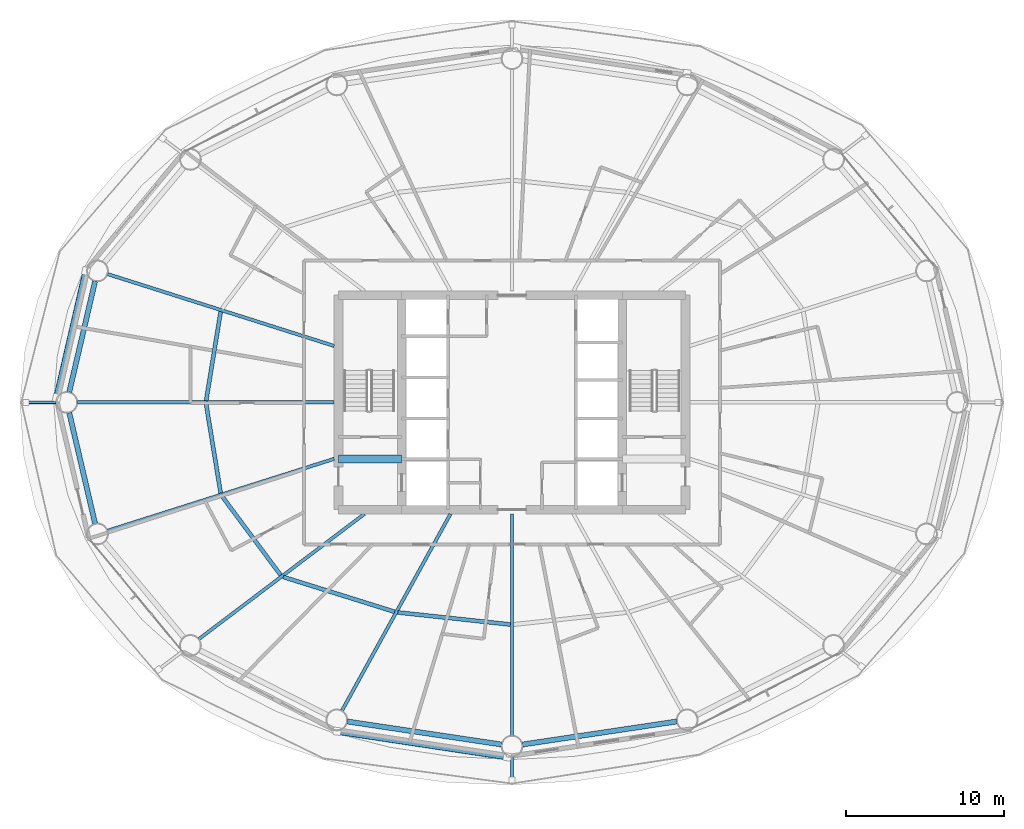
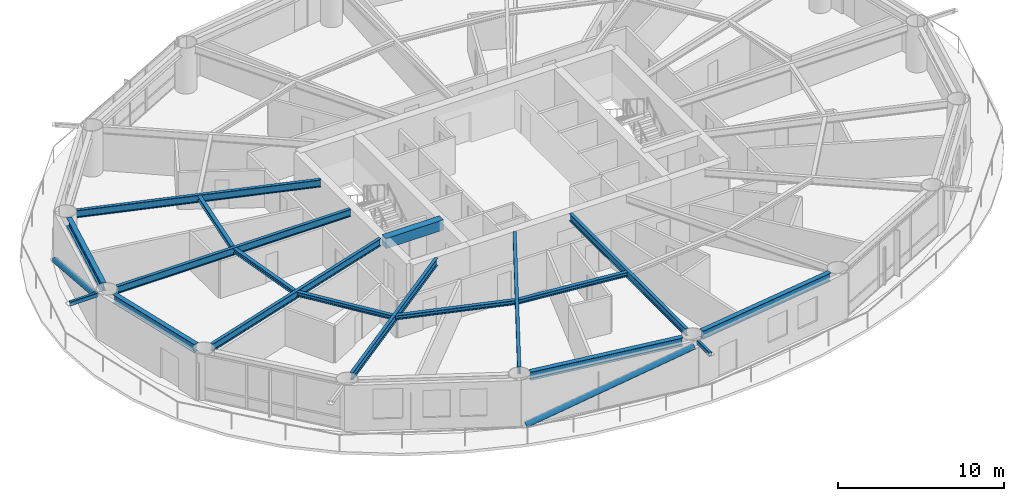
# One storey, part 3 of 24: 16 beams, 4 members.
"""IFC4 building model written with IfcOpenShell, lengths in metres."""

from ifc_helpers import new_model, si_unit, direction, frame, origin, origin_2d, place, context, subcontext, project, spatial, rectangle, hollow_rectangle, hollow_circle, i_section, extrude, material, material_profile, profile_set, type_object, element, save


model = new_model("IFC4")

# Units and contexts
model_context = context("Model", 3, precision=1e-05, world=origin(), true_north=direction((0.0, 1.0)))
body_context = subcontext(model_context, "Body", "Model", "MODEL_VIEW")
ifc_project = project(units=[si_unit("LENGTHUNIT", "METRE"), si_unit("AREAUNIT", "SQUARE_METRE"), si_unit("VOLUMEUNIT", "CUBIC_METRE"), si_unit("PLANEANGLEUNIT", "RADIAN"), si_unit("MASSUNIT", "GRAM", prefix="KILO")], contexts=[model_context])

# Site, building, storey
site_placement = place(None, origin())
site = spatial("IfcSite", under=ifc_project, at=site_placement, CompositionType="ELEMENT")
building_placement = place(site_placement, origin())
building = spatial("IfcBuilding", under=site, at=building_placement, Name="Sarneth Arch Tower", CompositionType="ELEMENT")
storey_placement = place(building_placement, frame((0.0, 0.0, 91.199951171875)))
storey = spatial("IfcBuildingStorey", under=building, at=storey_placement, Name="L22", CompositionType="ELEMENT", Elevation=91.199951171875)

# Beams
ifc_material_1 = material(Name="Steel S355", Category="steel")
ifc_material_profile_1 = material_profile(ifc_material_1, i_section(OverallWidth=0.25390625, OverallDepth=0.305908203125, WebThickness=0.0087890625, FlangeThickness=0.0146484375, FilletRadius=0.014892578125, at=origin_2d()), Name="W310x79")
ifc_profile_set_1 = profile_set([ifc_material_profile_1], Name="Steel S355")
beam_type_1 = type_object("IfcBeamType", Name="BM-JOIST-310A", PredefinedType="JOIST", material=ifc_profile_set_1)
for number, where, z_axis, x_axis, name in (
    (1, (29.521484375, 47.75390625, 3.22705078125), (-0.16120310833, -0.986921252109, 0.0), (0.986921252109, -0.16120310833, 0.0), "L22 Secondary floor joist 08"),
    (2, (28.5986328125, 41.89599609375, 3.22705078125), (0.16120310833, -0.986921252109, 0.0), (0.986921252109, 0.16120310833, 0.0), "L22 Secondary floor joist 09"),
):
    element("IfcBeam", number, at=place(storey_placement, frame(where, z_axis=z_axis, x_axis=x_axis)), inside=storey, type_object=beam_type_1, Name=name, PredefinedType="JOIST", context=body_context, shape_type="SweptSolid", body=[
        extrude(i_section(OverallWidth=0.25390625, OverallDepth=0.305908203125, WebThickness=0.0087890625, FlangeThickness=0.0146484375, FilletRadius=0.014892578125, at=origin_2d()), origin(), (0.0, 0.0, 1.0), 5.724853515625),
    ])
beam_1_placement = place(storey_placement, frame((29.6015625, 36.057373046875, 3.22705078125), z_axis=(0.596354224217, -0.80272139579, 0.0), x_axis=(0.80272139579, 0.596354224217, 0.0)))
element("IfcBeam", 3, at=beam_1_placement, inside=storey, type_object=beam_type_1, Name="L22 Secondary floor joist 10", PredefinedType="JOIST", context=body_context, shape_type="SweptSolid", body=[
    extrude(i_section(OverallWidth=0.25390625, OverallDepth=0.305908203125, WebThickness=0.0087890625, FlangeThickness=0.0146484375, FilletRadius=0.014892578125, at=origin_2d()), origin(), (0.0, 0.0, 1.0), 6.246337890625),
])
beam_2_placement = place(storey_placement, frame((33.490234375, 30.927001953125, 3.22705078125), z_axis=(0.9544870201, -0.298252457594, 0.0), x_axis=(0.298252457594, 0.9544870201, 0.0)))
element("IfcBeam", 4, at=beam_2_placement, inside=storey, type_object=beam_type_1, Name="L22 Secondary floor joist 11", PredefinedType="JOIST", context=body_context, shape_type="SweptSolid", body=[
    extrude(i_section(OverallWidth=0.25390625, OverallDepth=0.305908203125, WebThickness=0.0087890625, FlangeThickness=0.0146484375, FilletRadius=0.014892578125, at=origin_2d()), origin(), (0.0, 0.0, 1.0), 7.40234375),
])
beam_3_placement = place(storey_placement, frame((40.761474609375, 28.676513671875, 3.22705078125), z_axis=(0.99429330851, -0.106680910441, 0.0), x_axis=(0.106680910441, 0.99429330851, 0.0)))
element("IfcBeam", 5, at=beam_3_placement, inside=storey, type_object=beam_type_1, Name="L22 Secondary floor joist 12", PredefinedType="JOIST", context=body_context, shape_type="SweptSolid", body=[
    extrude(i_section(OverallWidth=0.25390625, OverallDepth=0.305908203125, WebThickness=0.0087890625, FlangeThickness=0.0146484375, FilletRadius=0.014892578125, at=origin_2d()), origin(), (0.0, 0.0, 1.0), 7.174560546875),
])
ifc_material_2 = material(Name="Concrete C50/60", Category="concrete")
ifc_material_profile_2 = material_profile(ifc_material_2, rectangle(XDim=0.5, YDim=0.75, at=origin_2d()), Name="RC-500x750")
ifc_profile_set_2 = profile_set([ifc_material_profile_2], Name="Concrete C50/60")
beam_type_2 = type_object("IfcBeamType", Name="BM-LINTEL-RC", PredefinedType="LINTEL", material=ifc_profile_set_2)
beam_4_placement = place(storey_placement, frame((37.0, 38.39990234375, 3.005126953125), z_axis=(1.0, 0.0, 0.0), x_axis=(0.0, 1.0, 0.0)))
element("IfcBeam", 6, at=beam_4_placement, inside=storey, type_object=beam_type_2, Name="L22 Core coupling lintel W", PredefinedType="LINTEL", context=body_context, shape_type="SweptSolid", body=[
    extrude(rectangle(XDim=0.5, YDim=0.75, at=origin_2d()), origin(), (0.0, 0.0, 1.0), 4.0),
])
ifc_material_3 = material(Name="Steel S355", Category="steel")
ifc_material_profile_3 = material_profile(ifc_material_3, i_section(OverallWidth=0.2109375, OverallDepth=0.5390625, WebThickness=0.01171875, FlangeThickness=0.018798828125, FilletRadius=0.01806640625, at=origin_2d()), Name="W530x109")
ifc_profile_set_3 = profile_set([ifc_material_profile_3], Name="Steel S355")
beam_type_3 = type_object("IfcBeamType", Name="BM-RAD-530B", PredefinedType="BEAM", material=ifc_profile_set_3)
beam_5_placement = place(storey_placement, frame((36.72509765625, 45.57763671875, 3.110595703125), z_axis=(-0.95316257761, 0.302458427958, 0.0), x_axis=(-0.302458427958, -0.95316257761, 0.0)))
element("IfcBeam", 7, at=beam_5_placement, inside=storey, type_object=beam_type_3, Name="L22 Radial floor girder 08", PredefinedType="BEAM", context=body_context, shape_type="SweptSolid", body=[
    extrude(i_section(OverallWidth=0.2109375, OverallDepth=0.5390625, WebThickness=0.01171875, FlangeThickness=0.018798828125, FilletRadius=0.01806640625, at=origin_2d()), origin(), (0.0, 0.0, 1.0), 15.0791015625),
])
beam_6_placement = place(storey_placement, frame((36.72509765625, 42.0, 3.110595703125), z_axis=(-1.0, 0.0, 0.0), x_axis=(0.0, -1.0, 0.0)))
element("IfcBeam", 8, at=beam_6_placement, inside=storey, type_object=beam_type_3, Name="L22 Radial floor girder 09", PredefinedType="BEAM", context=body_context, shape_type="SweptSolid", body=[
    extrude(i_section(OverallWidth=0.2109375, OverallDepth=0.5390625, WebThickness=0.01171875, FlangeThickness=0.018798828125, FilletRadius=0.01806640625, at=origin_2d()), origin(), (0.0, 0.0, 1.0), 16.28662109375),
])
beam_7_placement = place(storey_placement, frame((36.72509765625, 38.42236328125, 3.110595703125), z_axis=(-0.95316257761, -0.302458427958, 0.0), x_axis=(0.302458427958, -0.95316257761, 0.0)))
element("IfcBeam", 9, at=beam_7_placement, inside=storey, type_object=beam_type_3, Name="L22 Radial floor girder 10", PredefinedType="BEAM", context=body_context, shape_type="SweptSolid", body=[
    extrude(i_section(OverallWidth=0.2109375, OverallDepth=0.5390625, WebThickness=0.01171875, FlangeThickness=0.018798828125, FilletRadius=0.01806640625, at=origin_2d()), origin(), (0.0, 0.0, 1.0), 15.0791015625),
])
beam_8_placement = place(storey_placement, frame((38.63818359375, 34.925048828125, 3.110595703125), z_axis=(-0.797801476102, -0.602920230818, 0.0), x_axis=(0.602920230818, -0.797801476102, 0.0)))
element("IfcBeam", 10, at=beam_8_placement, inside=storey, type_object=beam_type_3, Name="L22 Radial floor girder 11", PredefinedType="BEAM", context=body_context, shape_type="SweptSolid", body=[
    extrude(i_section(OverallWidth=0.2109375, OverallDepth=0.5390625, WebThickness=0.01171875, FlangeThickness=0.018798828125, FilletRadius=0.01806640625, at=origin_2d()), origin(), (0.0, 0.0, 1.0), 13.15771484375),
])
beam_9_placement = place(storey_placement, frame((44.09716796875, 34.925048828125, 3.110595703125), z_axis=(-0.48301301286, -0.875613173387, 0.0), x_axis=(0.875613173387, -0.48301301286, 0.0)))
element("IfcBeam", 11, at=beam_9_placement, inside=storey, type_object=beam_type_3, Name="L22 Radial floor girder 12", PredefinedType="BEAM", context=body_context, shape_type="SweptSolid", body=[
    extrude(i_section(OverallWidth=0.2109375, OverallDepth=0.5390625, WebThickness=0.01171875, FlangeThickness=0.018798828125, FilletRadius=0.01806640625, at=origin_2d()), origin(), (0.0, 0.0, 1.0), 14.246826171875),
])
beam_10_placement = place(storey_placement, frame((48.0, 34.925048828125, 3.110595703125), z_axis=(0.0, -1.0, 0.0), x_axis=(1.0, 0.0, 0.0)))
element("IfcBeam", 12, at=beam_10_placement, inside=storey, type_object=beam_type_3, Name="L22 Radial floor girder 13", PredefinedType="BEAM", context=body_context, shape_type="SweptSolid", body=[
    extrude(i_section(OverallWidth=0.2109375, OverallDepth=0.5390625, WebThickness=0.01171875, FlangeThickness=0.018798828125, FilletRadius=0.01806640625, at=origin_2d()), origin(), (0.0, 0.0, 1.0), 14.050048828125),
])
ifc_material_4 = material(Name="Steel S355", Category="steel")
ifc_material_profile_4 = material_profile(ifc_material_4, i_section(OverallWidth=0.323974609375, OverallDepth=0.611083984375, WebThickness=0.0126953125, FlangeThickness=0.01904296875, FilletRadius=0.01904296875, at=origin_2d()), Name="W610x155")
ifc_profile_set_4 = profile_set([ifc_material_profile_4], Name="Steel S355")
beam_type_4 = type_object("IfcBeamType", Name="BM-SPAN-610B", PredefinedType="SPANDREL", material=ifc_profile_set_4)
for number, where, z_axis, x_axis, name in (
    (13, (21.555419921875, 49.68505859375, 3.074462890625), (-0.22708522689, -0.973874889156, 0.0), (0.973874889156, -0.22708522689, 0.0), "L22 Perimeter spandrel beam 08"),
    (14, (19.916748046875, 41.342529296875, 3.074462890625), (0.22708522689, -0.973874889156, 0.0), (0.973874889156, 0.22708522689, 0.0), "L22 Perimeter spandrel beam 09"),
):
    element("IfcBeam", number, at=place(storey_placement, frame(where, z_axis=z_axis, x_axis=x_axis)), inside=storey, type_object=beam_type_4, Name=name, PredefinedType="SPANDREL", context=body_context, shape_type="SweptSolid", body=[
        extrude(i_section(OverallWidth=0.323974609375, OverallDepth=0.611083984375, WebThickness=0.0126953125, FlangeThickness=0.01904296875, FilletRadius=0.01904296875, at=origin_2d()), origin(), (0.0, 0.0, 1.0), 7.216064453125),
    ])
for number, where, z_axis, x_axis, name in (
    (15, (37.557373046875, 21.759765625, 3.074462890625), (0.989029828744, -0.147715936359, 0.0), (0.147715936359, 0.989029828744, 0.0), "L22 Perimeter spandrel beam 12"),
    (16, (48.66748046875, 20.2998046875, 3.074462890625), (0.989029828744, 0.147715936359, 0.0), (-0.147715936359, 0.989029828744, 0.0), "L22 Perimeter spandrel beam 13"),
):
    element("IfcBeam", number, at=place(storey_placement, frame(where, z_axis=z_axis, x_axis=x_axis)), inside=storey, type_object=beam_type_4, Name=name, PredefinedType="SPANDREL", context=body_context, shape_type="SweptSolid", body=[
        extrude(i_section(OverallWidth=0.323974609375, OverallDepth=0.611083984375, WebThickness=0.0126953125, FlangeThickness=0.01904296875, FilletRadius=0.01904296875, at=origin_2d()), origin(), (0.0, 0.0, 1.0), 9.883544921875),
    ])

# Members
ifc_material_5 = material(Name="Steel S355", Category="steel")
ifc_material_profile_5 = material_profile(ifc_material_5, hollow_rectangle(XDim=0.199951171875, YDim=0.300048828125, WallThickness=0.012451171875, InnerFilletRadius=0.018798828125, OuterFilletRadius=0.03125, at=origin_2d()), Name="RHS300x200x12.5")
ifc_profile_set_5 = profile_set([ifc_material_profile_5], Name="Steel S355")
member_type_1 = type_object("IfcMemberType", Name="MEM-CANT-STRUT", PredefinedType="STRUT", material=ifc_profile_set_5)
member_1_placement = place(storey_placement, frame((19.08837890625, 42.0, 3.219970703125), z_axis=(-1.0, 0.0, 0.0), x_axis=(0.0, -1.0, 0.0)))
element("IfcMember", 17, at=member_1_placement, inside=storey, type_object=member_type_1, Name="L22 Balcony cantilever bracket 09", PredefinedType="STRUT", context=body_context, shape_type="SweptSolid", body=[
    extrude(hollow_rectangle(XDim=0.199951171875, YDim=0.300048828125, WallThickness=0.012451171875, InnerFilletRadius=0.018798828125, OuterFilletRadius=0.03125, at=origin_2d()), origin(), (0.0, 0.0, 1.0), 1.92236328125),
])
member_2_placement = place(storey_placement, frame((48.0, 19.52490234375, 3.219970703125), z_axis=(0.0, -1.0, 0.0), x_axis=(1.0, 0.0, 0.0)))
element("IfcMember", 18, at=member_2_placement, inside=storey, type_object=member_type_1, Name="L22 Balcony cantilever bracket 13", PredefinedType="STRUT", context=body_context, shape_type="SweptSolid", body=[
    extrude(hollow_rectangle(XDim=0.199951171875, YDim=0.300048828125, WallThickness=0.012451171875, InnerFilletRadius=0.018798828125, OuterFilletRadius=0.03125, at=origin_2d()), origin(), (0.0, 0.0, 1.0), 1.4775390625),
])
ifc_material_6 = material(Name="Steel S355", Category="steel")
ifc_material_profile_6 = material_profile(ifc_material_6, hollow_circle(Radius=0.202880859375, WallThickness=0.01611328125, at=origin_2d()), Name="CHS406x16")
ifc_profile_set_6 = profile_set([ifc_material_profile_6], Name="Steel S355")
member_type_2 = type_object("IfcMemberType", Name="MEM-DIAG-BR2", PredefinedType="BRACE", material=ifc_profile_set_6)
member_3_placement = place(storey_placement, frame((20.98046875, 50.32958984375, 0.02001953125), z_axis=(-0.21184573702, -0.915846816603, 0.341095283204), x_axis=(0.974275349464, -0.225360918143, 0.0)))
element("IfcMember", 19, at=member_3_placement, inside=storey, type_object=member_type_2, Name="L22 Perimeter frame diagonal 08", PredefinedType="BRACE", context=body_context, shape_type="SweptSolid", body=[
    extrude(hollow_circle(Radius=0.202880859375, WallThickness=0.01611328125, at=origin_2d()), origin(), (0.0, 0.0, 1.0), 8.77587890625),
])
member_4_placement = place(storey_placement, frame((36.9072265625, 21.140380859375, 0.02001953125), z_axis=(0.953656635145, -0.143605968509, 0.264416996529), x_axis=(0.148905755657, 0.988851392239, 0.0)))
element("IfcMember", 20, at=member_4_placement, inside=storey, type_object=member_type_2, Name="L22 Perimeter frame diagonal 12", PredefinedType="BRACE", context=body_context, shape_type="SweptSolid", body=[
    extrude(hollow_circle(Radius=0.202880859375, WallThickness=0.01611328125, at=origin_2d()), origin(), (0.0, 0.0, 1.0), 11.32080078125),
])

save(model, "model.ifc")
